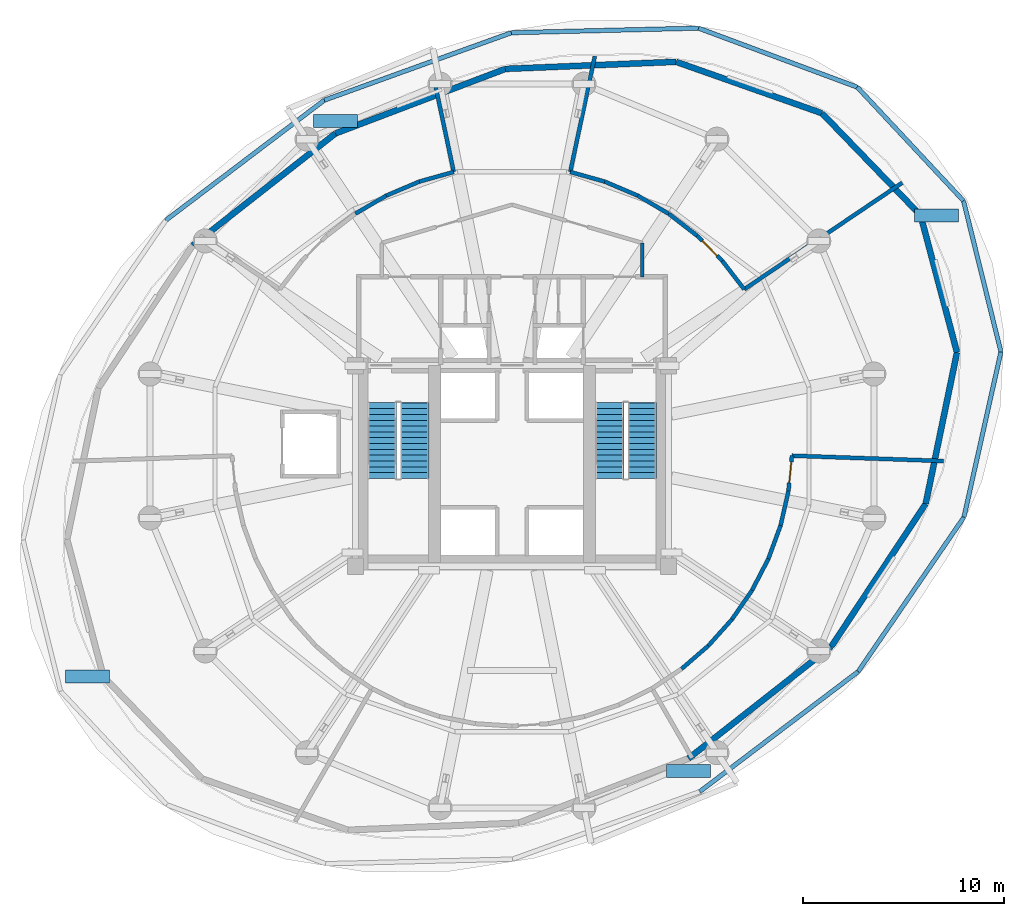
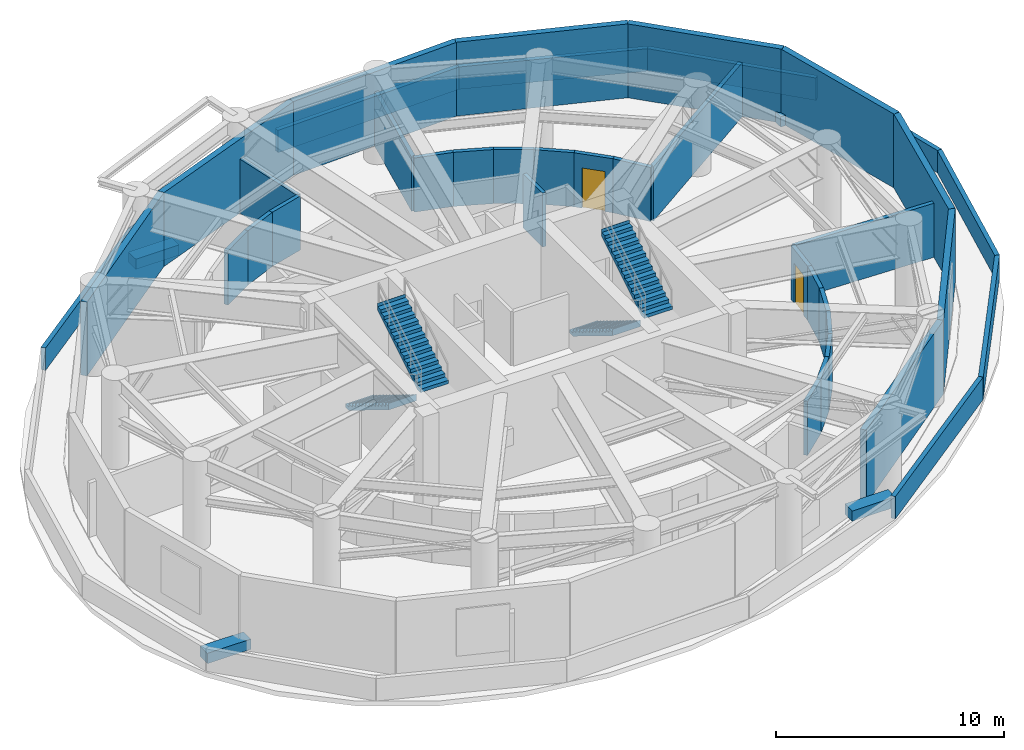
# One storey, part 5 of 7: 39 walls, 4 discrete accessories, 4 stair flights, 2 doors, 2 openings, 2 elements without a shape of their own.
"""IFC4 building model written with IfcOpenShell, lengths in metres."""

import ifcopenshell
import ifcopenshell.guid

model = None  # the IFC model being written
_history = None  # IfcOwnerHistory: only IFC2X3 demands one
_inside = {}  # id of a spatial element -> (the spatial element, [elements in it])
_under = {}  # id of a project, library or spatial element -> (it, [spatial elements below it])
_declared = {}  # id of a project -> (the project, [libraries it declares])
_typed = {}  # id of a type object -> (the type object, [elements of that type])
_made_of = {}  # id of a material, layer set ... -> (it, [elements and type objects made of it])


def new_model(schema):
    """Start an empty IFC model of exactly this schema.

    Asked for "IFC4X3", IfcOpenShell would pick the latest addendum, in which some entities
    have other attributes; the version numbers below select the first issue.
    IFC2X3 requires an IfcOwnerHistory on every rooted entity: one is made here for all.
    """
    global model, _history
    if schema == "IFC4X3":
        model = ifcopenshell.file(schema_version=(4, 3, 0, 0))
    else:
        model = ifcopenshell.file(schema=schema)
    _inside.clear()
    _under.clear()
    _declared.clear()
    _typed.clear()
    _made_of.clear()
    _history = None
    if model.schema == "IFC2X3":
        org = make("IfcOrganization", Name="unknown")
        user = make(
            "IfcPersonAndOrganization",
            ThePerson=make("IfcPerson", FamilyName="unknown"),
            TheOrganization=org,
        )
        app = make(
            "IfcApplication",
            ApplicationDeveloper=org,
            Version="unknown",
            ApplicationFullName="unknown",
            ApplicationIdentifier="unknown",
        )
        _history = make(
            "IfcOwnerHistory",
            OwningUser=user,
            OwningApplication=app,
            ChangeAction="ADDED",
            CreationDate=0,
        )
    return model


def make(cls, **values):
    """One entity of the class cls with the attributes given. An attribute that is None is left unset."""
    return model.create_entity(
        cls, **{name: value for name, value in values.items() if value is not None}
    )


def rooted(cls, **values):
    """An entity with a GlobalId (a new one), such as an element, a storey or a relation."""
    return make(cls, GlobalId=ifcopenshell.guid.new(), OwnerHistory=_history, **values)


def si_unit(unit_type, name, prefix=None):
    """IfcSIUnit, for example si_unit("LENGTHUNIT", "METRE", prefix="MILLI")."""
    return make("IfcSIUnit", UnitType=unit_type, Prefix=prefix, Name=name)


def assignment(units):
    """IfcUnitAssignment: the units of a project."""
    return None if units is None else make("IfcUnitAssignment", Units=units)


def point(xyz):
    """IfcCartesianPoint."""
    return None if xyz is None else make("IfcCartesianPoint", Coordinates=xyz)


def direction(xyz):
    """IfcDirection."""
    return None if xyz is None else make("IfcDirection", DirectionRatios=xyz)


def frame(location, z_axis=None, x_axis=None):
    """IfcAxis2Placement3D, a coordinate frame: its origin and axes. An axis left out is left unset."""
    return make(
        "IfcAxis2Placement3D",
        Location=point(location),
        Axis=direction(z_axis),
        RefDirection=direction(x_axis),
    )


def frame_2d(location, x_axis=None):
    """IfcAxis2Placement2D, a coordinate frame in the plane: its origin and x axis."""
    return make(
        "IfcAxis2Placement2D", Location=point(location), RefDirection=direction(x_axis)
    )


def origin():
    """The frame at (0, 0, 0) with its axes left unset."""
    return frame((0.0, 0.0, 0.0))


def origin_2d():
    """The frame at (0, 0) in the plane with its x axis left unset."""
    return frame_2d((0.0, 0.0))


def place(relative_to, where):
    """IfcLocalPlacement: puts the frame where relative to a parent placement (None: the world)."""
    return make(
        "IfcLocalPlacement", PlacementRelTo=relative_to, RelativePlacement=where
    )


def context(
    kind, dimensions, precision=None, world=None, true_north=None, identifier=None
):
    """IfcGeometricRepresentationContext, for example the 3D "Model" context."""
    return make(
        "IfcGeometricRepresentationContext",
        ContextIdentifier=identifier,
        ContextType=kind,
        CoordinateSpaceDimension=dimensions,
        Precision=precision,
        WorldCoordinateSystem=world,
        TrueNorth=true_north,
    )


def subcontext(parent, identifier, kind, view, scale=None):
    """IfcGeometricRepresentationSubContext, for example "Body" below "Model"."""
    return make(
        "IfcGeometricRepresentationSubContext",
        ContextIdentifier=identifier,
        ContextType=kind,
        ParentContext=parent,
        TargetScale=scale,
        TargetView=view,
    )


def project(units=None, contexts=None):
    """IfcProject with its units and contexts."""
    return rooted(
        "IfcProject",
        Name="project",
        RepresentationContexts=contexts,
        UnitsInContext=assignment(units),
    )


def spatial(cls, under=None, at=None, **own):
    """A site, building, storey or space (cls), placed at a placement, below another one or the project."""
    s = rooted(cls, ObjectPlacement=at, **own)
    if under is not None:
        _under.setdefault(under.id(), (under, []))[1].append(s)
    return s


def polyline(points):
    """IfcPolyline through the points."""
    return make("IfcPolyline", Points=[point(p) for p in points])


def profile(cls, at=None, kind="AREA", **sizes):
    """A parametric profile (cls). Its sizes go by their IFC names, for example OverallWidth=200.0."""
    return make(cls, ProfileType=kind, Position=at, **sizes)


def rectangle(**sizes):
    """IfcRectangleProfileDef."""
    return profile("IfcRectangleProfileDef", **sizes)


def outline(outer, holes=None, kind="AREA"):
    """IfcArbitraryClosedProfileDef: a profile drawn as a closed curve; with holes, ...WithVoids."""
    if holes is None:
        return make("IfcArbitraryClosedProfileDef", ProfileType=kind, OuterCurve=outer)
    return make(
        "IfcArbitraryProfileDefWithVoids",
        ProfileType=kind,
        OuterCurve=outer,
        InnerCurves=holes,
    )


def extrude(swept, where, along, depth):
    """IfcExtrudedAreaSolid: the profile swept, set in the frame where, extruded along a direction by depth."""
    return make(
        "IfcExtrudedAreaSolid",
        SweptArea=swept,
        Position=where,
        ExtrudedDirection=direction(along),
        Depth=depth,
    )


def shape(context_of_items, identifier, shape_type, items):
    """IfcShapeRepresentation: the items that make up one representation, for example the "Body"."""
    return make(
        "IfcShapeRepresentation",
        ContextOfItems=context_of_items,
        RepresentationIdentifier=identifier,
        RepresentationType=shape_type,
        Items=items,
    )


def material(Name=None, Category=None):
    """IfcMaterial."""
    return make("IfcMaterial", Name=Name, Category=Category)


def layer(
    of_material, thickness, ventilated=None, Name=None, Category=None, Priority=None
):
    """IfcMaterialLayer: one layer of a wall or slab, of a material (None: an air gap)."""
    return make(
        "IfcMaterialLayer",
        Material=of_material,
        LayerThickness=thickness,
        IsVentilated=ventilated,
        Name=Name,
        Category=Category,
        Priority=Priority,
    )


def layer_set(layers, Name=None):
    """IfcMaterialLayerSet."""
    return make("IfcMaterialLayerSet", MaterialLayers=layers, LayerSetName=Name)


def made_of(thing, what):
    """Note that an element or type object is made of a material, layer set ...; save() writes the relation."""
    if what is not None:
        _made_of.setdefault(what.id(), (what, []))[1].append(thing)
    return thing


def type_object(cls, material=None, **own):
    """A type object (cls), such as IfcWallType, which elements share."""
    return made_of(rooted(cls, **own), material)


def element(
    cls,
    number,
    at=None,
    inside=None,
    cuts=None,
    type_object=None,
    material=None,
    context=None,
    identifier="Body",
    shape_type=None,
    held_by="IfcProductDefinitionShape",
    body=None,
    shapes=None,
    **own,
):
    """One element of the class cls, such as IfcWall. Its Tag is "e" and its number.

    at: its placement. inside: the storey or other place that contains it. cuts: it is an
    opening in that element (IfcRelVoidsElement). A single representation is given by context,
    identifier, shape_type and body (its items); several are given by shapes. held_by: the class
    of the entity that holds the representations. save() writes the other relations.
    """
    e = rooted(cls, Tag="e%d" % number, ObjectPlacement=at, **own)
    if body is not None:
        shapes = [shape(context, identifier, shape_type, body)]
    if shapes is not None:
        e.Representation = make(held_by, Representations=shapes)
    if inside is not None:
        _inside.setdefault(inside.id(), (inside, []))[1].append(e)
    if cuts is not None:
        rooted(
            "IfcRelVoidsElement", RelatingBuildingElement=cuts, RelatedOpeningElement=e
        )
    if type_object is not None:
        _typed.setdefault(type_object.id(), (type_object, []))[1].append(e)
    return made_of(e, material)


def fill(opening, filler):
    """IfcRelFillsElement: the door or window that sits in an opening."""
    return rooted(
        "IfcRelFillsElement",
        RelatingOpeningElement=opening,
        RelatedBuildingElement=filler,
    )


def aggregate(whole, parts):
    """IfcRelAggregates: a whole, such as a stair, and the parts it consists of."""
    return rooted("IfcRelAggregates", RelatingObject=whole, RelatedObjects=parts)


def save(model, path):
    """Write the relations noted so far, then the file.

    IfcRelAggregates (storeys below a building ...), IfcRelContainedInSpatialStructure (elements
    in a storey), IfcRelDefinesByType, IfcRelAssociatesMaterial and IfcRelDeclares: one each for
    every whole, place, type object, material and project.
    """
    for whole, parts in _under.values():
        aggregate(whole, parts)
    for where, things in _inside.values():
        rooted(
            "IfcRelContainedInSpatialStructure",
            RelatedElements=things,
            RelatingStructure=where,
        )
    for kind, things in _typed.values():
        rooted("IfcRelDefinesByType", RelatedObjects=things, RelatingType=kind)
    for what, things in _made_of.values():
        rooted("IfcRelAssociatesMaterial", RelatedObjects=things, RelatingMaterial=what)
    for by, libraries in _declared.values():
        rooted("IfcRelDeclares", RelatingContext=by, RelatedDefinitions=libraries)
    model.write(path)


model = new_model("IFC4")

# Units and contexts
model_context = context("Model", 3, precision=1e-05, world=origin(), true_north=direction((0.0, 1.0)))
body_context = subcontext(model_context, "Body", "Model", "MODEL_VIEW")
ifc_project = project(units=[si_unit("LENGTHUNIT", "METRE"), si_unit("AREAUNIT", "SQUARE_METRE"), si_unit("VOLUMEUNIT", "CUBIC_METRE"), si_unit("PLANEANGLEUNIT", "RADIAN"), si_unit("MASSUNIT", "GRAM", prefix="KILO"), si_unit("THERMODYNAMICTEMPERATUREUNIT", "KELVIN"), si_unit("POWERUNIT", "WATT")], contexts=[model_context])

# Site, building, storey
site_placement = place(None, origin())
site = spatial("IfcSite", under=ifc_project, at=site_placement, CompositionType="ELEMENT")
building_placement = place(site_placement, origin())
building = spatial("IfcBuilding", under=site, at=building_placement, Name="Ocrelia Relay Tower", CompositionType="ELEMENT")
storey_placement = place(building_placement, frame((0.0, 0.0, 157.800048828125)))
storey = spatial("IfcBuildingStorey", under=building, at=storey_placement, Name="L37", CompositionType="ELEMENT", Elevation=157.800048828125)

# Walls
ifc_material_1 = material(Name="Gypsum Fireboard Partition EI60", Category="gypsum")
ifc_layer_1 = layer(ifc_material_1, 0.179931640625, Name="Gypsum Fireboard Partition EI60")
ifc_layer_set_1 = layer_set([ifc_layer_1], Name="Gypsum Fireboard Partition EI60")
wall_type_1 = type_object("IfcWallType", Name="W-CORR-EI60-180", PredefinedType="PARTITIONING", material=ifc_layer_set_1)
wall_1_placement = place(storey_placement, frame((40.5, 36.122802734375, 0.0), z_axis=(0.0, 0.0, 1.0), x_axis=(0.0, -1.0, 0.0)))
element("IfcWall", 1, at=wall_1_placement, inside=storey, type_object=wall_type_1, Name="L37 Smoke Lobby East Return", PredefinedType="PARTITIONING", context=body_context, shape_type="SweptSolid", body=[
    extrude(rectangle(XDim=1.69287109375, YDim=0.179931640625, at=frame_2d((0.846435546875, 0.0))), origin(), (0.0, 0.0, 1.0), 2.89990234375),
])
ifc_material_2 = material(Name="Precast concrete C40/50 with oxide terracotta", Category="masonry")
ifc_layer_2 = layer(ifc_material_2, 0.300048828125, Name="Precast concrete C40/50 with oxide terracotta")
ifc_layer_set_2 = layer_set([ifc_layer_2], Name="Precast concrete C40/50 with oxide terracotta")
wall_type_2 = type_object("IfcWallType", Name="W-EXT-TERR-300", PredefinedType="SOLIDWALL", material=ifc_layer_set_2)
wall_2_placement = place(storey_placement, frame((54.37646484375, 37.5048828125, 0.0), z_axis=(0.0, 0.0, 1.0), x_axis=(-0.694983461071, 0.719025721959, 0.0)))
element("IfcWall", 2, at=wall_2_placement, inside=storey, type_object=wall_type_2, Name="L37 Plant Terracotta Wall 01", PredefinedType="SOLIDWALL", context=body_context, shape_type="SweptSolid", body=[
    extrude(rectangle(XDim=7.077880859375, YDim=0.300048828125, at=frame_2d((3.5390625, 0.0))), origin(), (0.0, 0.0, 1.0), 3.9599609375),
])
wall_3_placement = place(storey_placement, frame((49.45751953125, 42.593994140625, 0.0), z_axis=(0.0, 0.0, 1.0), x_axis=(-0.943139881539, 0.33239609482, 0.0)))
element("IfcWall", 3, at=wall_3_placement, inside=storey, type_object=wall_type_2, Name="L37 Plant Terracotta Wall 02", PredefinedType="SOLIDWALL", context=body_context, shape_type="SweptSolid", body=[
    extrude(rectangle(XDim=7.710693359375, YDim=0.300048828125, at=frame_2d((3.85546875, 0.0))), origin(), (0.0, 0.0, 1.0), 3.9599609375),
])
wall_4_placement = place(storey_placement, frame((42.185302734375, 45.156982421875, 0.0), z_axis=(0.0, 0.0, 1.0), x_axis=(-0.999138820353, -0.041492380795, 0.0)))
element("IfcWall", 4, at=wall_4_placement, inside=storey, type_object=wall_type_2, Name="L37 Plant Terracotta Wall 03", PredefinedType="SOLIDWALL", context=body_context, shape_type="SweptSolid", body=[
    extrude(rectangle(XDim=8.52587890625, YDim=0.300048828125, at=frame_2d((4.262939453125, 0.0))), origin(), (0.0, 0.0, 1.0), 3.9599609375),
])
wall_5_placement = place(storey_placement, frame((33.666748046875, 44.80322265625, 0.0), z_axis=(0.0, 0.0, 1.0), x_axis=(-0.934842101479, -0.355063720058, 0.0)))
element("IfcWall", 5, at=wall_5_placement, inside=storey, type_object=wall_type_2, Name="L37 Plant Terracotta Wall 04", PredefinedType="SOLIDWALL", context=body_context, shape_type="SweptSolid", body=[
    extrude(rectangle(XDim=9.0576171875, YDim=0.300048828125, at=frame_2d((4.52880859375, 0.0))), origin(), (0.0, 0.0, 1.0), 3.9599609375),
])
for number, where, z_axis, x_axis, name in (
    (6, (25.19921875, 41.587158203125, 0.0), (0.0, 0.0, 1.0), (-0.786916544976, -0.617059438987, 0.0), "L37 Plant Terracotta Wall 05"),
    (7, (42.80078125, 10.412841796875, 0.0), (0.0, 0.0, 1.0), (0.786916544976, 0.617059438987, 0.0), "L37 Plant Terracotta Wall 13"),
):
    element("IfcWall", number, at=place(storey_placement, frame(where, z_axis=z_axis, x_axis=x_axis)), inside=storey, type_object=wall_type_2, Name=name, PredefinedType="SOLIDWALL", context=body_context, shape_type="SweptSolid", body=[
        extrude(rectangle(XDim=9.05810546875, YDim=0.300048828125, at=frame_2d((4.529052734375, 0.0))), origin(), (0.0, 0.0, 1.0), 3.9599609375),
    ])
wall_6_placement = place(storey_placement, frame((49.9287109375, 16.002197265625, 0.0), z_axis=(0.0, 0.0, 1.0), x_axis=(0.551590405687, 0.83411511457, 0.0)))
element("IfcWall", 8, at=wall_6_placement, inside=storey, type_object=wall_type_2, Name="L37 Plant Terracotta Wall 14", PredefinedType="SOLIDWALL", context=body_context, shape_type="SweptSolid", body=[
    extrude(rectangle(XDim=8.525634765625, YDim=0.300048828125, at=frame_2d((4.2626953125, 0.0))), origin(), (0.0, 0.0, 1.0), 3.9599609375),
])
wall_7_placement = place(storey_placement, frame((54.63134765625, 23.113525390625, 0.0), z_axis=(0.0, 0.0, 1.0), x_axis=(0.202548018239, 0.979272332044, 0.0)))
element("IfcWall", 9, at=wall_7_placement, inside=storey, type_object=wall_type_2, Name="L37 Plant Terracotta Wall 15", PredefinedType="SOLIDWALL", context=body_context, shape_type="SweptSolid", body=[
    extrude(rectangle(XDim=7.710693359375, YDim=0.300048828125, at=frame_2d((3.85546875, 0.0))), origin(), (0.0, 0.0, 1.0), 3.9599609375),
])
wall_8_placement = place(storey_placement, frame((56.193115234375, 30.664306640625, 0.0), z_axis=(0.0, 0.0, 1.0), x_axis=(-0.256672769659, 0.96649836488, 0.0)))
element("IfcWall", 10, at=wall_8_placement, inside=storey, type_object=wall_type_2, Name="L37 Plant Terracotta Wall 16", PredefinedType="SOLIDWALL", context=body_context, shape_type="SweptSolid", body=[
    extrude(rectangle(XDim=7.07763671875, YDim=0.300048828125, at=frame_2d((3.538818359375, 0.0))), origin(), (0.0, 0.0, 1.0), 3.9599609375),
])
ifc_layer_3 = layer(ifc_material_2, 0.219970703125, Name="Precast concrete C40/50 with oxide terracotta")
ifc_layer_set_3 = layer_set([ifc_layer_3], Name="Precast concrete C40/50 with oxide terracotta")
wall_type_3 = type_object("IfcWallType", Name="W-PARAPET-220", PredefinedType="PARAPET", material=ifc_layer_set_3)
wall_9_placement = place(storey_placement, frame((56.515380859375, 38.224853515625, 0.0), z_axis=(0.0, 0.0, 1.0), x_axis=(-0.682783463069, 0.730620792586, 0.0)))
element("IfcWall", 11, at=wall_9_placement, inside=storey, type_object=wall_type_3, Name="L37 Setback Green Roof Parapet 01", PredefinedType="PARAPET", context=body_context, shape_type="SweptSolid", body=[
    extrude(rectangle(XDim=7.75732421875, YDim=0.219970703125, at=frame_2d((3.878662109375, 0.0))), origin(), (0.0, 0.0, 1.0), 1.199951171875),
])
wall_10_placement = place(storey_placement, frame((51.21875, 43.892578125, 0.0), z_axis=(0.0, 0.0, 1.0), x_axis=(-0.937313642392, 0.348486923408, 0.0)))
element("IfcWall", 12, at=wall_10_placement, inside=storey, type_object=wall_type_3, Name="L37 Setback Green Roof Parapet 02", PredefinedType="PARAPET", context=body_context, shape_type="SweptSolid", body=[
    extrude(rectangle(XDim=8.447509765625, YDim=0.219970703125, at=frame_2d((4.2236328125, 0.0))), origin(), (0.0, 0.0, 1.0), 1.199951171875),
])
wall_11_placement = place(storey_placement, frame((43.30078125, 46.83642578125, 0.0), z_axis=(0.0, 0.0, 1.0), x_axis=(-0.999701071625, -0.024449282048, 0.0)))
element("IfcWall", 13, at=wall_11_placement, inside=storey, type_object=wall_type_3, Name="L37 Setback Green Roof Parapet 03", PredefinedType="PARAPET", context=body_context, shape_type="SweptSolid", body=[
    extrude(rectangle(XDim=9.33642578125, YDim=0.219970703125, at=frame_2d((4.668212890625, 0.0))), origin(), (0.0, 0.0, 1.0), 1.199951171875),
])
for number, where, z_axis, x_axis, name in (
    (14, (33.967041015625, 46.608154296875, 0.0), (0.0, 0.0, 1.0), (-0.94065150663, -0.339374045966, 0.0), "L37 Setback Green Roof Parapet 04"),
    (15, (24.63818359375, 43.242431640625, 0.0), (0.0, 0.0, 1.0), (-0.796938084133, -0.604060998624, 0.0), "L37 Setback Green Roof Parapet 05"),
    (16, (43.36181640625, 8.757568359375, 0.0), (0.0, 0.0, 1.0), (0.796938084133, 0.604060998624, 0.0), "L37 Setback Green Roof Parapet 13"),
):
    element("IfcWall", number, at=place(storey_placement, frame(where, z_axis=z_axis, x_axis=x_axis)), inside=storey, type_object=wall_type_3, Name=name, PredefinedType="PARAPET", context=body_context, shape_type="SweptSolid", body=[
        extrude(rectangle(XDim=9.91748046875, YDim=0.219970703125, at=frame_2d((4.958740234375, 0.0))), origin(), (0.0, 0.0, 1.0), 1.199951171875),
    ])
wall_12_placement = place(storey_placement, frame((51.265380859375, 14.748291015625, 0.0), z_axis=(0.0, 0.0, 1.0), x_axis=(0.564994156704, 0.825094905384, 0.0)))
element("IfcWall", 17, at=wall_12_placement, inside=storey, type_object=wall_type_3, Name="L37 Setback Green Roof Parapet 14", PredefinedType="PARAPET", context=body_context, shape_type="SweptSolid", body=[
    extrude(rectangle(XDim=9.336669921875, YDim=0.219970703125, at=frame_2d((4.66845703125, 0.0))), origin(), (0.0, 0.0, 1.0), 1.199951171875),
])
wall_13_placement = place(storey_placement, frame((56.54052734375, 22.451904296875, 0.0), z_axis=(0.0, 0.0, 1.0), x_axis=(0.218230806459, 0.975897184704, 0.0)))
element("IfcWall", 18, at=wall_13_placement, inside=storey, type_object=wall_type_3, Name="L37 Setback Green Roof Parapet 15", PredefinedType="PARAPET", context=body_context, shape_type="SweptSolid", body=[
    extrude(rectangle(XDim=8.447509765625, YDim=0.219970703125, at=frame_2d((4.2236328125, 0.0))), origin(), (0.0, 0.0, 1.0), 1.199951171875),
])
wall_14_placement = place(storey_placement, frame((58.384033203125, 30.69580078125, 0.0), z_axis=(0.0, 0.0, 1.0), x_axis=(-0.24088393818, 0.970553928603, 0.0)))
element("IfcWall", 19, at=wall_14_placement, inside=storey, type_object=wall_type_3, Name="L37 Setback Green Roof Parapet 16", PredefinedType="PARAPET", context=body_context, shape_type="SweptSolid", body=[
    extrude(rectangle(XDim=7.757568359375, YDim=0.219970703125, at=frame_2d((3.87890625, 0.0))), origin(), (0.0, 0.0, 1.0), 1.199951171875),
])
ifc_material_3 = material(Name="Concrete C50/60", Category="concrete")
ifc_layer_4 = layer(ifc_material_3, 0.199951171875, Name="Concrete C50/60")
ifc_layer_set_4 = layer_set([ifc_layer_4], Name="Concrete C50/60")
wall_type_4 = type_object("IfcWallType", Name="W-SHAFT-EI120-200", PredefinedType="SOLIDWALL", material=ifc_layer_set_4)
wall_15_placement = place(storey_placement, frame((26.18798828125, 37.581787109375, 0.0), z_axis=(0.0, 0.0, 1.0), x_axis=(0.863178614226, 0.50489868285, 0.0)))
element("IfcWall", 20, at=wall_15_placement, inside=storey, type_object=wall_type_4, Name="L37 West Area of Refuge Inner Wall 10", PredefinedType="SOLIDWALL", context=body_context, shape_type="SweptSolid", body=[
    extrude(rectangle(XDim=1.78662109375, YDim=0.199951171875, at=frame_2d((0.893310546875, 0.0))), origin(), (0.0, 0.0, 1.0), 2.89990234375),
])
for number, where, z_axis, x_axis, name in (
    (21, (27.730224609375, 38.48388671875, 0.0), (0.0, 0.0, 1.0), (0.920489463147, 0.390767383791, 0.0), "L37 West Area of Refuge Inner Wall 11"),
    (22, (29.375, 39.18212890625, 0.0), (0.0, 0.0, 1.0), (0.962827672802, 0.270116405439, 0.0), "L37 West Area of Refuge Inner Wall 12"),
):
    element("IfcWall", number, at=place(storey_placement, frame(where, z_axis=z_axis, x_axis=x_axis)), inside=storey, type_object=wall_type_4, Name=name, PredefinedType="SOLIDWALL", context=body_context, shape_type="SweptSolid", body=[
        extrude(rectangle(XDim=1.786865234375, YDim=0.199951171875, at=frame_2d((0.8935546875, 0.0))), origin(), (0.0, 0.0, 1.0), 2.89990234375),
    ])
wall_16_placement = place(storey_placement, frame((31.095458984375, 39.664794921875, 0.0), z_axis=(0.0, 0.0, 1.0), x_axis=(-0.207926711425, 0.978144407885, 0.0)))
element("IfcWall", 23, at=wall_16_placement, inside=storey, type_object=wall_type_4, Name="L37 West Area of Refuge Radial Wall R0", PredefinedType="SOLIDWALL", context=body_context, shape_type="SweptSolid", body=[
    extrude(rectangle(XDim=4.339599609375, YDim=0.199951171875, at=frame_2d((2.169921875, 0.0))), origin(), (0.0, 0.0, 1.0), 2.89990234375),
])
for number, where, z_axis, x_axis, name in (
    (24, (36.904541015625, 39.664794921875, 0.0), (0.0, 0.0, 1.0), (0.962827672802, -0.270116405439, 0.0), "L37 East Area of Refuge Inner Wall 7"),
    (25, (38.625, 39.18212890625, 0.0), (0.0, 0.0, 1.0), (0.920489463147, -0.390767383791, 0.0), "L37 East Area of Refuge Inner Wall 8"),
):
    element("IfcWall", number, at=place(storey_placement, frame(where, z_axis=z_axis, x_axis=x_axis)), inside=storey, type_object=wall_type_4, Name=name, PredefinedType="SOLIDWALL", context=body_context, shape_type="SweptSolid", body=[
        extrude(rectangle(XDim=1.786865234375, YDim=0.199951171875, at=frame_2d((0.8935546875, 0.0))), origin(), (0.0, 0.0, 1.0), 2.89990234375),
    ])
wall_17_placement = place(storey_placement, frame((40.269775390625, 38.48388671875, 0.0), z_axis=(0.0, 0.0, 1.0), x_axis=(0.863178614226, -0.50489868285, 0.0)))
element("IfcWall", 26, at=wall_17_placement, inside=storey, type_object=wall_type_4, Name="L37 East Area of Refuge Inner Wall 9", PredefinedType="SOLIDWALL", context=body_context, shape_type="SweptSolid", body=[
    extrude(rectangle(XDim=1.78662109375, YDim=0.199951171875, at=frame_2d((0.893310546875, 0.0))), origin(), (0.0, 0.0, 1.0), 2.89990234375),
])
wall_18_placement = place(storey_placement, frame((41.81201171875, 37.581787109375, 0.0), z_axis=(0.0, 0.0, 1.0), x_axis=(0.791510311229, -0.611155812554, 0.0)))
element("IfcWall", 27, at=wall_18_placement, inside=storey, type_object=wall_type_4, Name="L37 East Area of Refuge Inner Wall 10", PredefinedType="SOLIDWALL", context=body_context, shape_type="SweptSolid", body=[
    extrude(rectangle(XDim=1.786865234375, YDim=0.199951171875, at=frame_2d((0.8935546875, 0.0))), origin(), (0.0, 0.0, 1.0), 2.89990234375),
])

# Wall, opening, door
wall_19_placement = place(storey_placement, frame((43.226318359375, 36.48974609375, 0.0), z_axis=(0.0, 0.0, 1.0), x_axis=(0.707106781187, -0.707106781187, 0.0)))
wall_19 = element("IfcWall", 28, at=wall_19_placement, inside=storey, type_object=wall_type_4, Name="L37 East Area of Refuge Inner Wall 11", PredefinedType="SOLIDWALL", context=body_context, shape_type="SweptSolid", body=[
    extrude(rectangle(XDim=1.786865234375, YDim=0.199951171875, at=frame_2d((0.8935546875, 0.0))), origin(), (0.0, 0.0, 1.0), 2.89990234375),
])
opening_1_placement = place(wall_19_placement, frame((0.368408203125, 0.0, 0.0)))
opening_1 = element("IfcOpeningElement", 29, at=opening_1_placement, cuts=wall_19, Name="Opening D-FD90", PredefinedType="OPENING", context=body_context, shape_type="SweptSolid", body=[
    extrude(rectangle(XDim=1.050048828125, YDim=2.14990234375, at=frame_2d((0.52490234375, 1.074951171875))), frame((0.0, 0.10986328125, 0.0), z_axis=(0.0, -1.0, 0.0), x_axis=(1.0, 0.0, 0.0)), (0.0, 0.0, 1.0), 0.219970703125),
])
ifc_material_4 = material(Name="Steel S355 90-min fire door", Category="steel")
door_type = type_object("IfcDoorType", Name="DR-STAIR-FD90-1050", OperationType="NOTDEFINED", PredefinedType="DOOR", material=ifc_material_4)
door_1_placement = place(opening_1_placement, origin())
door_1 = element("IfcDoor", 30, at=door_1_placement, inside=storey, type_object=door_type, Name="L37 East Area of Refuge Fire Door", OperationType="SINGLE_SWING_LEFT", OverallHeight=2.14990234375, OverallWidth=1.050048828125, PredefinedType="DOOR", context=body_context, shape_type="SweptSolid", body=[
    extrude(rectangle(XDim=1.050048828125, YDim=2.14990234375, at=frame_2d((0.52490234375, 1.074951171875))), frame((0.0, 0.02490234375, 0.0), z_axis=(0.0, -1.0, 0.0), x_axis=(1.0, 0.0, 0.0)), (0.0, 0.0, 1.0), 0.050048828125),
])
fill(opening_1, door_1)

# Walls
wall_20_placement = place(storey_placement, frame((44.48974609375, 35.226318359375, 0.0), z_axis=(0.0, 0.0, 1.0), x_axis=(0.611155812554, -0.791510311229, 0.0)))
element("IfcWall", 31, at=wall_20_placement, inside=storey, type_object=wall_type_4, Name="L37 East Area of Refuge Inner Wall 12", PredefinedType="SOLIDWALL", context=body_context, shape_type="SweptSolid", body=[
    extrude(rectangle(XDim=1.786865234375, YDim=0.199951171875, at=frame_2d((0.8935546875, 0.0))), origin(), (0.0, 0.0, 1.0), 2.89990234375),
])
wall_21_placement = place(storey_placement, frame((45.581787109375, 33.81201171875, 0.0), z_axis=(0.0, 0.0, 1.0), x_axis=(0.829039178995, 0.559190521817, 0.0)))
element("IfcWall", 32, at=wall_21_placement, inside=storey, type_object=wall_type_4, Name="L37 East Area of Refuge Radial Wall R0", PredefinedType="SOLIDWALL", context=body_context, shape_type="SweptSolid", body=[
    extrude(rectangle(XDim=9.506103515625, YDim=0.199951171875, at=frame_2d((4.7529296875, 0.0))), origin(), (0.0, 0.0, 1.0), 2.89990234375),
])
wall_22_placement = place(storey_placement, frame((36.904541015625, 39.664794921875, 0.0), z_axis=(0.0, 0.0, 1.0), x_axis=(0.207909724378, 0.978148018711, 0.0)))
element("IfcWall", 33, at=wall_22_placement, inside=storey, type_object=wall_type_4, Name="L37 East Area of Refuge Radial Wall R1", PredefinedType="SOLIDWALL", context=body_context, shape_type="SweptSolid", body=[
    extrude(rectangle(XDim=5.900634765625, YDim=0.199951171875, at=frame_2d((2.9501953125, 0.0))), origin(), (0.0, 0.0, 1.0), 2.89990234375),
])

# Wall, opening, door
wall_23_placement = place(storey_placement, frame((47.96142578125, 25.512451171875, 0.0), z_axis=(0.0, 0.0, 1.0), x_axis=(-0.09798475659, -0.99518791566, 0.0)))
wall_23 = element("IfcWall", 34, at=wall_23_placement, inside=storey, type_object=wall_type_4, Name="L37 Electrical Switchgear Plant Room Inner Wall 9", PredefinedType="SOLIDWALL", context=body_context, shape_type="SweptSolid", body=[
    extrude(rectangle(XDim=1.7666015625, YDim=0.199951171875, at=frame_2d((0.88330078125, 0.0))), origin(), (0.0, 0.0, 1.0), 2.89990234375),
])
opening_2_placement = place(wall_23_placement, frame((0.30419921875, 0.0, 0.0)))
opening_2 = element("IfcOpeningElement", 35, at=opening_2_placement, cuts=wall_23, Name="Opening D-FD90", PredefinedType="OPENING", context=body_context, shape_type="SweptSolid", body=[
    extrude(rectangle(XDim=1.050048828125, YDim=2.14990234375, at=frame_2d((0.52490234375, 1.074951171875))), frame((0.0, 0.10986328125, 0.0), z_axis=(0.0, -1.0, 0.0), x_axis=(1.0, 0.0, 0.0)), (0.0, 0.0, 1.0), 0.219970703125),
])
door_2_placement = place(opening_2_placement, origin())
door_2 = element("IfcDoor", 36, at=door_2_placement, inside=storey, type_object=door_type, Name="L37 Electrical Switchgear Plant Room Fire Door", OperationType="SINGLE_SWING_RIGHT", OverallHeight=2.14990234375, OverallWidth=1.050048828125, PredefinedType="DOOR", context=body_context, shape_type="SweptSolid", body=[
    extrude(rectangle(XDim=1.050048828125, YDim=2.14990234375, at=frame_2d((0.52490234375, 1.074951171875))), frame((0.0, 0.02490234375, 0.0), z_axis=(0.0, -1.0, 0.0), x_axis=(1.0, 0.0, 0.0)), (0.0, 0.0, 1.0), 0.050048828125),
])
fill(opening_2, door_2)

# Walls
for number, where, z_axis, x_axis, name in (
    (37, (47.788330078125, 23.75439453125, 0.0), (0.0, 0.0, 1.0), (-0.222779770731, -0.974868798225, 0.0), "L37 Electrical Switchgear Plant Room Inner Wall 10"),
    (38, (47.394775390625, 22.0322265625, 0.0), (0.0, 0.0, 1.0), (-0.344116581363, -0.938926929229, 0.0), "L37 Electrical Switchgear Plant Room Inner Wall 11"),
):
    element("IfcWall", number, at=place(storey_placement, frame(where, z_axis=z_axis, x_axis=x_axis)), inside=storey, type_object=wall_type_4, Name=name, PredefinedType="SOLIDWALL", context=body_context, shape_type="SweptSolid", body=[
        extrude(rectangle(XDim=1.7666015625, YDim=0.199951171875, at=frame_2d((0.88330078125, 0.0))), origin(), (0.0, 0.0, 1.0), 2.89990234375),
    ])
for number, where, z_axis, x_axis, name in (
    (39, (46.786865234375, 20.37353515625, 0.0), (0.0, 0.0, 1.0), (-0.459828947546, -0.888007510666, 0.0), "L37 Electrical Switchgear Plant Room Inner Wall 12"),
    (40, (45.974609375, 18.804931640625, 0.0), (0.0, 0.0, 1.0), (-0.56818180369, -0.822903055016, 0.0), "L37 Electrical Switchgear Plant Room Inner Wall 13"),
):
    element("IfcWall", number, at=place(storey_placement, frame(where, z_axis=z_axis, x_axis=x_axis)), inside=storey, type_object=wall_type_4, Name=name, PredefinedType="SOLIDWALL", context=body_context, shape_type="SweptSolid", body=[
        extrude(rectangle(XDim=1.766357421875, YDim=0.199951171875, at=frame_2d((0.88330078125, 0.0))), origin(), (0.0, 0.0, 1.0), 2.89990234375),
    ])
wall_24_placement = place(storey_placement, frame((44.970947265625, 17.351318359375, 0.0), z_axis=(0.0, 0.0, 1.0), x_axis=(-0.667497460352, -0.744612073784, 0.0)))
element("IfcWall", 41, at=wall_24_placement, inside=storey, type_object=wall_type_4, Name="L37 Electrical Switchgear Plant Room Inner Wall 14", PredefinedType="SOLIDWALL", context=body_context, shape_type="SweptSolid", body=[
    extrude(rectangle(XDim=1.7666015625, YDim=0.199951171875, at=frame_2d((0.88330078125, 0.0))), origin(), (0.0, 0.0, 1.0), 2.89990234375),
])
wall_25_placement = place(storey_placement, frame((43.791748046875, 16.035888671875, 0.0), z_axis=(0.0, 0.0, 1.0), x_axis=(-0.756135802683, -0.654414736922, 0.0)))
element("IfcWall", 42, at=wall_25_placement, inside=storey, type_object=wall_type_4, Name="L37 Electrical Switchgear Plant Room Inner Wall 15", PredefinedType="SOLIDWALL", context=body_context, shape_type="SweptSolid", body=[
    extrude(rectangle(XDim=1.766357421875, YDim=0.199951171875, at=frame_2d((0.88330078125, 0.0))), origin(), (0.0, 0.0, 1.0), 2.89990234375),
])
wall_26_placement = place(storey_placement, frame((47.96142578125, 25.512451171875, 0.0), z_axis=(0.0, 0.0, 1.0), x_axis=(0.999390860333, -0.034898542717, 0.0)))
element("IfcWall", 43, at=wall_26_placement, inside=storey, type_object=wall_type_4, Name="L37 Electrical Switchgear Plant Room Radial Wall R1", PredefinedType="SOLIDWALL", context=body_context, shape_type="SweptSolid", body=[
    extrude(rectangle(XDim=7.555419921875, YDim=0.199951171875, at=frame_2d((3.77783203125, 0.0))), origin(), (0.0, 0.0, 1.0), 2.89990234375),
])

# Stair, stair flights
stair_type = type_object("IfcStairType", Name="ST-DL-1420-R179", PredefinedType="HALF_TURN_STAIR", material=ifc_material_3)
stair_1_placement = place(storey_placement, origin())
stair_1 = element("IfcStair", 44, at=stair_1_placement, inside=storey, type_object=stair_type, Name="L37 West Core Exit Stair ST1", PredefinedType="HALF_TURN_STAIR")
stair_flight_type = type_object("IfcStairFlightType", Name="STF-DL-1420-R179", PredefinedType="STRAIGHT", material=ifc_material_3)
stair_flight_1_placement = place(storey_placement, frame((27.52001953125, 28.14990234375, 0.0), z_axis=(0.0, 0.0, 1.0), x_axis=(0.0, -1.0, 0.0)))
stair_flight_1 = element("IfcStairFlight", 45, at=stair_flight_1_placement, type_object=stair_flight_type, Name="ST1 flight 1", NumberOfRisers=14, NumberOfTreads=13, PredefinedType="STRAIGHT", RiserHeight=0.178571429, TreadLength=0.29, context=body_context, shape_type="SweptSolid", body=[
    extrude(outline(polyline([(-0.008056640625, 0.0), (-0.008056640625, 0.178466796875), (0.0, 0.178466796875), (0.2900390625, 0.178466796875), (0.2900390625, 0.357177734375), (0.580078125, 0.357177734375), (0.580078125, 0.53564453125), (0.8701171875, 0.53564453125), (0.8701171875, 0.71435546875), (1.159912109375, 0.71435546875), (1.159912109375, 0.892822265625), (1.449951171875, 0.892822265625), (1.449951171875, 1.071533203125), (1.739990234375, 1.071533203125), (1.739990234375, 1.25), (2.030029296875, 1.25), (2.030029296875, 1.428466796875), (2.320068359375, 1.428466796875), (2.320068359375, 1.607177734375), (2.610107421875, 1.607177734375), (2.610107421875, 1.78564453125), (2.89990234375, 1.78564453125), (2.89990234375, 1.96435546875), (3.18994140625, 1.96435546875), (3.18994140625, 2.142822265625), (3.47998046875, 2.142822265625), (3.47998046875, 2.321533203125), (3.77001953125, 2.321533203125), (3.77001953125, 2.5), (3.778076171875, 2.5), (3.778076171875, 2.1455078125), (0.285888671875, 0.0), (-0.008056640625, 0.0)])), frame((0.0, 0.7099609375, 0.0), z_axis=(0.0, -1.0, 0.0), x_axis=(1.0, 0.0, 0.0)), (0.0, 0.0, 1.0), 1.419921875),
])
stair_flight_2_placement = place(storey_placement, frame((29.139892578125, 24.3798828125, 2.5), z_axis=(0.0, 0.0, 1.0), x_axis=(0.0, 1.0, 0.0)))
stair_flight_2 = element("IfcStairFlight", 46, at=stair_flight_2_placement, type_object=stair_flight_type, Name="ST1 flight 2", NumberOfRisers=14, NumberOfTreads=13, PredefinedType="STRAIGHT", RiserHeight=0.178571429, TreadLength=0.29, context=body_context, shape_type="SweptSolid", body=[
    extrude(outline(polyline([(-0.008056640625, 0.0), (-0.008056640625, 0.178466796875), (0.0, 0.178466796875), (0.2900390625, 0.178466796875), (0.2900390625, 0.357177734375), (0.580078125, 0.357177734375), (0.580078125, 0.53564453125), (0.8701171875, 0.53564453125), (0.8701171875, 0.71435546875), (1.159912109375, 0.71435546875), (1.159912109375, 0.892822265625), (1.449951171875, 0.892822265625), (1.449951171875, 1.071533203125), (1.739990234375, 1.071533203125), (1.739990234375, 1.25), (2.030029296875, 1.25), (2.030029296875, 1.428466796875), (2.320068359375, 1.428466796875), (2.320068359375, 1.607177734375), (2.610107421875, 1.607177734375), (2.610107421875, 1.78564453125), (2.89990234375, 1.78564453125), (2.89990234375, 1.96435546875), (3.18994140625, 1.96435546875), (3.18994140625, 2.142822265625), (3.47998046875, 2.142822265625), (3.47998046875, 2.321533203125), (3.77001953125, 2.321533203125), (3.77001953125, 2.5), (3.778076171875, 2.5), (3.778076171875, 2.1455078125), (0.285888671875, 0.0), (-0.008056640625, 0.0)])), frame((0.0, 0.7099609375, 0.0), z_axis=(0.0, -1.0, 0.0), x_axis=(1.0, 0.0, 0.0)), (0.0, 0.0, 1.0), 1.419921875),
])
aggregate(stair_1, [stair_flight_1, stair_flight_2])

stair_2_placement = place(storey_placement, origin())
stair_2 = element("IfcStair", 47, at=stair_2_placement, inside=storey, type_object=stair_type, Name="L37 East Core Exit Stair ST2", PredefinedType="HALF_TURN_STAIR")
stair_flight_3_placement = place(storey_placement, frame((38.8701171875, 28.14990234375, 0.0), z_axis=(0.0, 0.0, 1.0), x_axis=(0.0, -1.0, 0.0)))
stair_flight_3 = element("IfcStairFlight", 48, at=stair_flight_3_placement, type_object=stair_flight_type, Name="ST2 flight 1", NumberOfRisers=14, NumberOfTreads=13, PredefinedType="STRAIGHT", RiserHeight=0.178571429, TreadLength=0.29, context=body_context, shape_type="SweptSolid", body=[
    extrude(outline(polyline([(-0.008056640625, 0.0), (-0.008056640625, 0.178466796875), (0.0, 0.178466796875), (0.2900390625, 0.178466796875), (0.2900390625, 0.357177734375), (0.580078125, 0.357177734375), (0.580078125, 0.53564453125), (0.8701171875, 0.53564453125), (0.8701171875, 0.71435546875), (1.159912109375, 0.71435546875), (1.159912109375, 0.892822265625), (1.449951171875, 0.892822265625), (1.449951171875, 1.071533203125), (1.739990234375, 1.071533203125), (1.739990234375, 1.25), (2.030029296875, 1.25), (2.030029296875, 1.428466796875), (2.320068359375, 1.428466796875), (2.320068359375, 1.607177734375), (2.610107421875, 1.607177734375), (2.610107421875, 1.78564453125), (2.89990234375, 1.78564453125), (2.89990234375, 1.96435546875), (3.18994140625, 1.96435546875), (3.18994140625, 2.142822265625), (3.47998046875, 2.142822265625), (3.47998046875, 2.321533203125), (3.77001953125, 2.321533203125), (3.77001953125, 2.5), (3.778076171875, 2.5), (3.778076171875, 2.1455078125), (0.285888671875, 0.0), (-0.008056640625, 0.0)])), frame((0.0, 0.7099609375, 0.0), z_axis=(0.0, -1.0, 0.0), x_axis=(1.0, 0.0, 0.0)), (0.0, 0.0, 1.0), 1.419921875),
])
stair_flight_4_placement = place(storey_placement, frame((40.489990234375, 24.3798828125, 2.5), z_axis=(0.0, 0.0, 1.0), x_axis=(0.0, 1.0, 0.0)))
stair_flight_4 = element("IfcStairFlight", 49, at=stair_flight_4_placement, type_object=stair_flight_type, Name="ST2 flight 2", NumberOfRisers=14, NumberOfTreads=13, PredefinedType="STRAIGHT", RiserHeight=0.178571429, TreadLength=0.29, context=body_context, shape_type="SweptSolid", body=[
    extrude(outline(polyline([(-0.008056640625, 0.0), (-0.008056640625, 0.178466796875), (0.0, 0.178466796875), (0.2900390625, 0.178466796875), (0.2900390625, 0.357177734375), (0.580078125, 0.357177734375), (0.580078125, 0.53564453125), (0.8701171875, 0.53564453125), (0.8701171875, 0.71435546875), (1.159912109375, 0.71435546875), (1.159912109375, 0.892822265625), (1.449951171875, 0.892822265625), (1.449951171875, 1.071533203125), (1.739990234375, 1.071533203125), (1.739990234375, 1.25), (2.030029296875, 1.25), (2.030029296875, 1.428466796875), (2.320068359375, 1.428466796875), (2.320068359375, 1.607177734375), (2.610107421875, 1.607177734375), (2.610107421875, 1.78564453125), (2.89990234375, 1.78564453125), (2.89990234375, 1.96435546875), (3.18994140625, 1.96435546875), (3.18994140625, 2.142822265625), (3.47998046875, 2.142822265625), (3.47998046875, 2.321533203125), (3.77001953125, 2.321533203125), (3.77001953125, 2.5), (3.778076171875, 2.5), (3.778076171875, 2.1455078125), (0.285888671875, 0.0), (-0.008056640625, 0.0)])), frame((0.0, 0.7099609375, 0.0), z_axis=(0.0, -1.0, 0.0), x_axis=(1.0, 0.0, 0.0)), (0.0, 0.0, 1.0), 1.419921875),
])
aggregate(stair_2, [stair_flight_3, stair_flight_4])

# Discrete accessories
ifc_material_5 = material(Name="Precast concrete C40/50 planter with highland greenery", Category="concrete")
discrete_accessory_type = type_object("IfcDiscreteAccessoryType", Name="ACC-BALC-PLANTER", PredefinedType="USERDEFINED", material=ifc_material_5)
for number, where, z_axis, x_axis, name in (
    (50, (55.164306640625, 37.4912109375, 0.0), (0.0, 0.0, 1.0), (1.0, 0.0, 0.0), "L37 Setback Green Roof Planter 0"),
    (51, (25.19970703125, 42.2080078125, 0.0), (0.0, 0.0, 1.0), (1.0, 0.0, 0.0), "L37 Setback Green Roof Planter 4"),
    (52, (12.835693359375, 14.5087890625, 0.0), (0.0, 0.0, 1.0), (1.0, 0.0, 0.0), "L37 Setback Green Roof Planter 8"),
    (53, (42.80029296875, 9.7919921875, 0.0), (0.0, 0.0, 1.0), (1.0, 0.0, 0.0), "L37 Setback Green Roof Planter 12"),
):
    element("IfcDiscreteAccessory", number, at=place(storey_placement, frame(where, z_axis=z_axis, x_axis=x_axis)), inside=storey, type_object=discrete_accessory_type, Name=name, ObjectType="PLANTER", PredefinedType="USERDEFINED", context=body_context, shape_type="SweptSolid", body=[
        extrude(rectangle(XDim=2.199951171875, YDim=0.64990234375, at=origin_2d()), origin(), (0.0, 0.0, 1.0), 0.550048828125),
    ])

save(model, "model.ifc")
